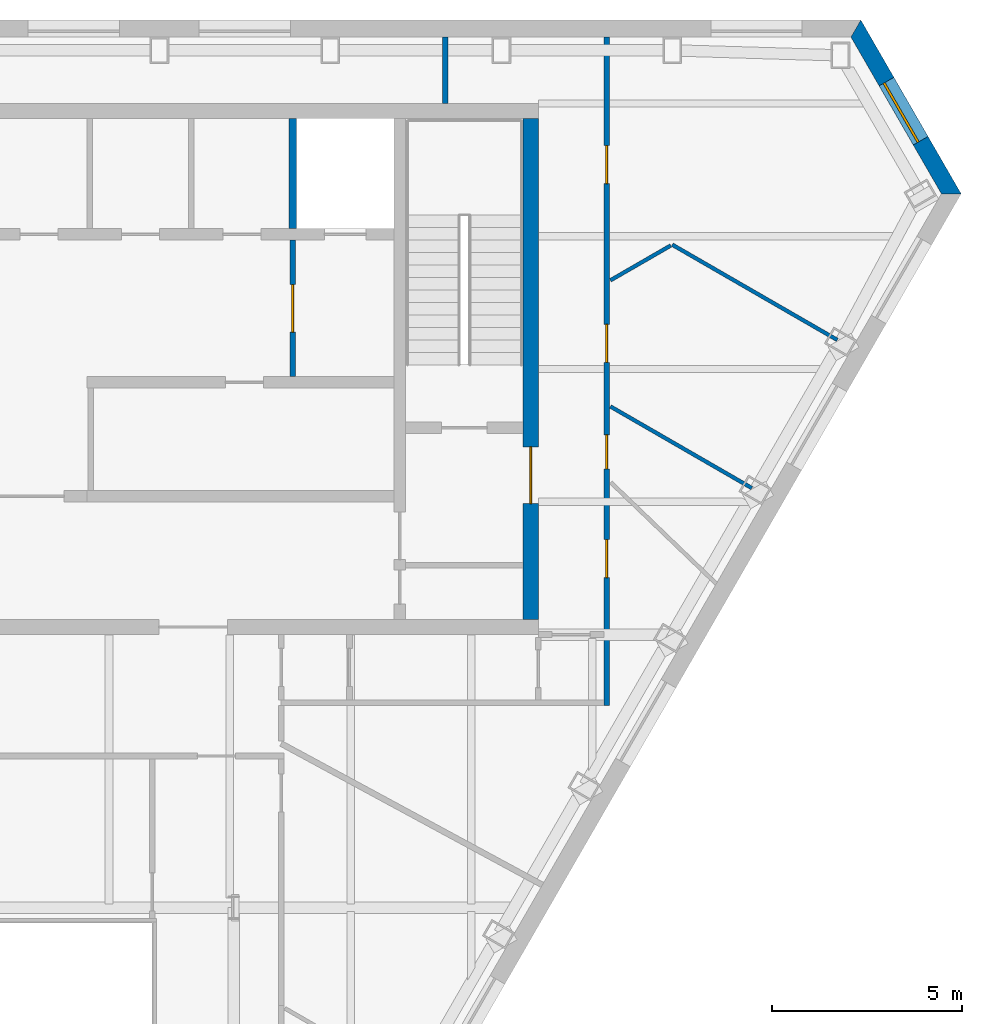
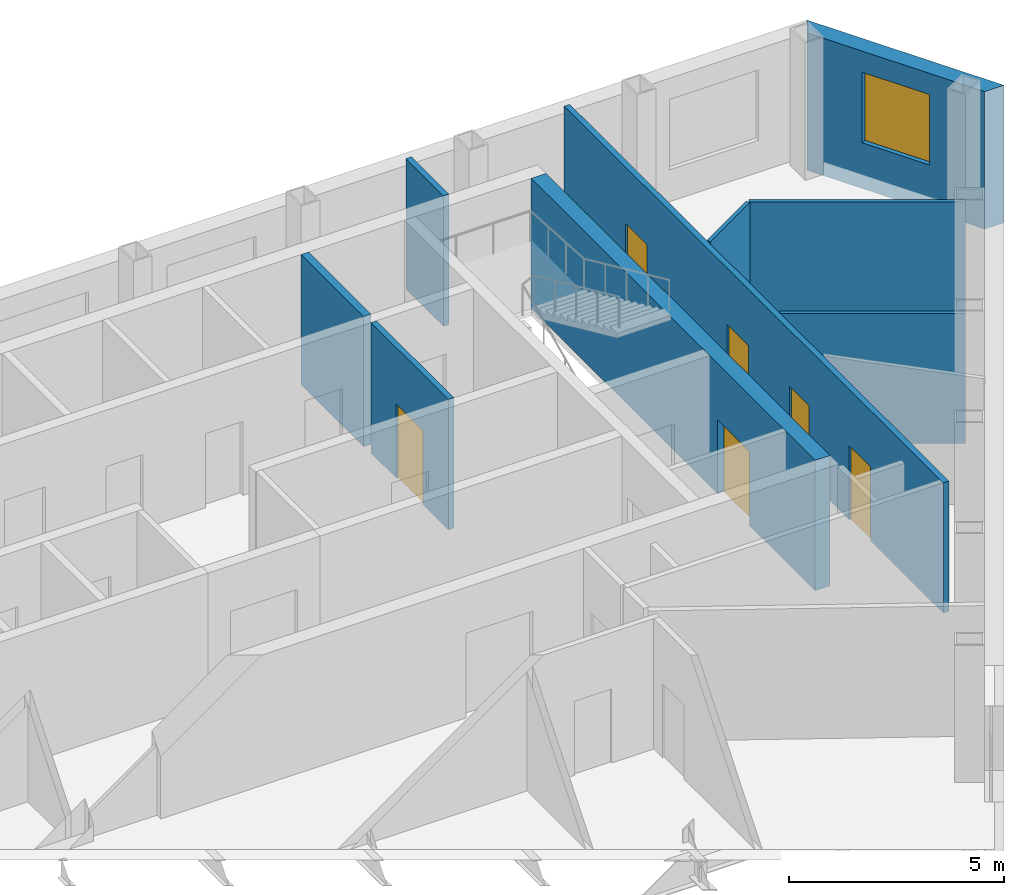
# One storey, part 7 of 10: 9 walls, 6 doors, 1 window, 7 openings.
"""IFC4 building model written with IfcOpenShell, lengths in metres."""

from ifc_helpers import new_model, si_unit, direction, frame, frame_2d, origin, place, context, subcontext, project, spatial, polyline, rectangle, outline, extrude, material, layer, layer_set, type_object, element, fill, save


model = new_model("IFC4")

# Units and contexts
model_context = context("Model", 3, precision=1e-05, world=origin(), true_north=direction((0.0, 1.0)))
body_context = subcontext(model_context, "Body", "Model", "MODEL_VIEW")
ifc_project = project(units=[si_unit("LENGTHUNIT", "METRE"), si_unit("AREAUNIT", "SQUARE_METRE"), si_unit("VOLUMEUNIT", "CUBIC_METRE"), si_unit("PLANEANGLEUNIT", "RADIAN"), si_unit("MASSUNIT", "GRAM", prefix="KILO")], contexts=[model_context])

# Site, building, storey
site_placement = place(None, origin())
site = spatial("IfcSite", under=ifc_project, at=site_placement, CompositionType="ELEMENT")
building_placement = place(site_placement, origin())
building = spatial("IfcBuilding", under=site, at=building_placement, Name="Njiva Tower", CompositionType="ELEMENT")
storey_placement = place(building_placement, frame((0.0, 0.0, 280.5)))
storey = spatial("IfcBuildingStorey", under=building, at=storey_placement, Name="L64", CompositionType="ELEMENT", Elevation=280.5)

# Wall, opening, door
ifc_material_1 = material(Name="Concrete C60/75", Category="concrete")
ifc_layer_1 = layer(ifc_material_1, 0.4)
ifc_layer_set_1 = layer_set([ifc_layer_1], Name="Concrete C60/75")
wall_type_1 = type_object("IfcWallType", Name="WT11 Core wall 400", PredefinedType="SHEAR", material=ifc_layer_set_1)
wall_1_placement = place(storey_placement, frame((14.3, 4.4, 0.0), z_axis=(0.0, 0.0, 1.0), x_axis=(0.0, 1.0, 0.0)))
wall_1 = element("IfcWall", 1, at=wall_1_placement, inside=storey, type_object=wall_type_1, Name="Core wall east", PredefinedType="SHEAR", context=body_context, shape_type="SweptSolid", body=[
    extrude(rectangle(XDim=13.2, YDim=0.4, at=frame_2d((6.6, 0.0))), origin(), (0.0, 0.0, 1.0), 3.7),
])
opening_1_placement = place(wall_1_placement, frame((3.05, 0.0, 0.0)))
opening_1 = element("IfcOpeningElement", 2, at=opening_1_placement, cuts=wall_1, Name="Opening S21-D922", PredefinedType="OPENING", context=body_context, shape_type="SweptSolid", body=[
    extrude(rectangle(XDim=1.5, YDim=2.1, at=frame_2d((0.75, 1.05))), frame((0.0, 0.21, 0.0), z_axis=(0.0, -1.0, 0.0), x_axis=(1.0, 0.0, 0.0)), (0.0, 0.0, 1.0), 0.42),
])
ifc_material_2 = material(Name="Glazed steel fire door", Category="steel")
door_type_1 = type_object("IfcDoorType", Name="D10 Exit door double 1500x2100 glazed", OperationType="DOUBLE_DOOR_SINGLE_SWING", PredefinedType="DOOR", material=ifc_material_2)
door_1_placement = place(opening_1_placement, origin())
door_1 = element("IfcDoor", 3, at=door_1_placement, inside=storey, type_object=door_type_1, Name="Stair B corridor door", OperationType="DOUBLE_DOOR_SINGLE_SWING", OverallHeight=2.1, OverallWidth=1.5, PredefinedType="DOOR", context=body_context, shape_type="SweptSolid", body=[
    extrude(rectangle(XDim=1.5, YDim=2.1, at=frame_2d((0.75, 1.05))), frame((0.0, 0.025, 0.0), z_axis=(0.0, -1.0, 0.0), x_axis=(1.0, 0.0, 0.0)), (0.0, 0.0, 1.0), 0.05),
])
fill(opening_1, door_1)

ifc_material_3 = material(Name="Blockwork", Category="masonry")
ifc_layer_2 = layer(ifc_material_3, 0.15)
ifc_layer_set_2 = layer_set([ifc_layer_2], Name="Blockwork")
wall_type_2 = type_object("IfcWallType", Name="WT2 Lobby partition 150", PredefinedType="PARTITIONING", material=ifc_layer_set_2)
wall_2_placement = place(storey_placement, frame((8.025, 10.8, 0.0), z_axis=(0.0, 0.0, 1.0), x_axis=(0.0, 1.0, 0.0)))
wall_2 = element("IfcWall", 4, at=wall_2_placement, inside=storey, type_object=wall_type_2, Name="Firefighting lobby wall B", PredefinedType="PARTITIONING", context=body_context, shape_type="SweptSolid", body=[
    extrude(rectangle(XDim=3.6, YDim=0.15, at=frame_2d((1.8, 0.0))), origin(), (0.0, 0.0, 1.0), 3.7),
])
opening_2_placement = place(wall_2_placement, frame((1.175, 0.0, 0.0)))
opening_2 = element("IfcOpeningElement", 5, at=opening_2_placement, cuts=wall_2, Name="Opening S21-D919", PredefinedType="OPENING", context=body_context, shape_type="SweptSolid", body=[
    extrude(rectangle(XDim=1.25, YDim=2.1, at=frame_2d((0.625, 1.05))), frame((0.0, 0.085, 0.0), z_axis=(0.0, -1.0, 0.0), x_axis=(1.0, 0.0, 0.0)), (0.0, 0.0, 1.0), 0.17),
])
door_type_2 = type_object("IfcDoorType", Name="D8 Vestibule corridor door 1250x2100 glazed", OperationType="SINGLE_SWING_LEFT", PredefinedType="DOOR", material=ifc_material_2)
door_2_placement = place(opening_2_placement, origin())
door_2 = element("IfcDoor", 6, at=door_2_placement, inside=storey, type_object=door_type_2, Name="Stair vestibule corridor door", OperationType="SINGLE_SWING_LEFT", OverallHeight=2.1, OverallWidth=1.25, PredefinedType="DOOR", context=body_context, shape_type="SweptSolid", body=[
    extrude(rectangle(XDim=1.25, YDim=2.1, at=frame_2d((0.625, 1.05))), frame((0.0, 0.025, 0.0), z_axis=(0.0, -1.0, 0.0), x_axis=(1.0, 0.0, 0.0)), (0.0, 0.0, 1.0), 0.05),
])
fill(opening_2, door_2)

# Walls
ifc_material_4 = material(Name="Gypsum board on steel studs", Category="gypsum")
ifc_layer_3 = layer(ifc_material_4, 0.1)
ifc_layer_set_3 = layer_set([ifc_layer_3], Name="Gypsum board on steel studs")
wall_type_3 = type_object("IfcWallType", Name="WT20 Gypsum partition 100", PredefinedType="PARTITIONING", material=ifc_layer_set_3)
wall_3_placement = place(storey_placement, frame((16.4, 13.338, 0.0), z_axis=(0.0, 0.0, 1.0), x_axis=(0.866294275703, 0.499534010738, 0.0)))
element("IfcWall", 7, at=wall_3_placement, inside=storey, type_object=wall_type_3, Name="Partition S21-P033", PredefinedType="PARTITIONING", context=body_context, shape_type="SweptSolid", body=[
    extrude(rectangle(XDim=1.8377, YDim=0.1, at=frame_2d((0.9188, 0.0))), origin(), (0.0, 0.0, 1.0), 3.7),
])
wall_4_placement = place(storey_placement, frame((16.4, 10.013, 0.0), z_axis=(0.0, 0.0, 1.0), x_axis=(0.866104329613, -0.499863271531, 0.0)))
element("IfcWall", 8, at=wall_4_placement, inside=storey, type_object=wall_type_3, Name="Partition S21-P034", PredefinedType="PARTITIONING", context=body_context, shape_type="SweptSolid", body=[
    extrude(rectangle(XDim=4.3032, YDim=0.1, at=frame_2d((2.1516, 0.0))), origin(), (0.0, 0.0, 1.0), 3.7),
])
wall_5_placement = place(storey_placement, frame((18.03, 14.277, 0.0), z_axis=(0.0, 0.0, 1.0), x_axis=(0.866115983499, -0.499843078503, 0.0)))
element("IfcWall", 9, at=wall_5_placement, inside=storey, type_object=wall_type_3, Name="Partition S21-P036", PredefinedType="PARTITIONING", context=body_context, shape_type="SweptSolid", body=[
    extrude(rectangle(XDim=5.0236, YDim=0.1, at=frame_2d((2.5118, 0.0))), origin(), (0.0, 0.0, 1.0), 3.7),
])
ifc_layer_4 = layer(ifc_material_4, 0.15)
ifc_layer_set_4 = layer_set([ifc_layer_4], Name="Gypsum board on steel studs")
wall_type_4 = type_object("IfcWallType", Name="WT21 Compartment wall 150", PredefinedType="PARTITIONING", material=ifc_layer_set_4)
wall_6_placement = place(storey_placement, frame((12.05, 18.0, 0.0), z_axis=(0.0, 0.0, 1.0), x_axis=(0.0, 1.0, 0.0)))
element("IfcWall", 10, at=wall_6_placement, inside=storey, type_object=wall_type_4, Name="Partition S21-P029", PredefinedType="PARTITIONING", context=body_context, shape_type="SweptSolid", body=[
    extrude(rectangle(XDim=1.75, YDim=0.15, at=frame_2d((0.875, 0.0))), origin(), (0.0, 0.0, 1.0), 3.7),
])

# Wall, openings, doors
wall_7_placement = place(storey_placement, frame((16.3, 2.125, 0.0), z_axis=(0.0, 0.0, 1.0), x_axis=(0.0, 1.0, 0.0)))
wall_7 = element("IfcWall", 11, at=wall_7_placement, inside=storey, type_object=wall_type_4, Name="Partition S21-P032", PredefinedType="PARTITIONING", context=body_context, shape_type="SweptSolid", body=[
    extrude(rectangle(XDim=17.623, YDim=0.15, at=frame_2d((8.8115, 0.0))), origin(), (0.0, 0.0, 1.0), 3.7),
])
opening_3_placement = place(wall_7_placement, frame((3.377, 0.0, 0.0)))
opening_3 = element("IfcOpeningElement", 12, at=opening_3_placement, cuts=wall_7, Name="Opening S21-D018", PredefinedType="OPENING", context=body_context, shape_type="SweptSolid", body=[
    extrude(rectangle(XDim=1.0, YDim=2.1, at=frame_2d((0.5, 1.05))), frame((0.0, 0.085, 0.0), z_axis=(0.0, -1.0, 0.0), x_axis=(1.0, 0.0, 0.0)), (0.0, 0.0, 1.0), 0.17),
])
opening_4_placement = place(wall_7_placement, frame((6.242, 0.0, 0.0)))
opening_4 = element("IfcOpeningElement", 13, at=opening_4_placement, cuts=wall_7, Name="Opening S21-D019", PredefinedType="OPENING", context=body_context, shape_type="SweptSolid", body=[
    extrude(rectangle(XDim=0.9, YDim=2.1, at=frame_2d((0.45, 1.05))), frame((0.0, 0.085, 0.0), z_axis=(0.0, -1.0, 0.0), x_axis=(1.0, 0.0, 0.0)), (0.0, 0.0, 1.0), 0.17),
])
opening_5_placement = place(wall_7_placement, frame((9.05, 0.0, 0.0)))
opening_5 = element("IfcOpeningElement", 14, at=opening_5_placement, cuts=wall_7, Name="Opening S21-D020", PredefinedType="OPENING", context=body_context, shape_type="SweptSolid", body=[
    extrude(rectangle(XDim=1.0, YDim=2.1, at=frame_2d((0.5, 1.05))), frame((0.0, 0.085, 0.0), z_axis=(0.0, -1.0, 0.0), x_axis=(1.0, 0.0, 0.0)), (0.0, 0.0, 1.0), 0.17),
])
opening_6_placement = place(wall_7_placement, frame((13.764, 0.0, 0.0)))
opening_6 = element("IfcOpeningElement", 15, at=opening_6_placement, cuts=wall_7, Name="Opening S21-D021", PredefinedType="OPENING", context=body_context, shape_type="SweptSolid", body=[
    extrude(rectangle(XDim=1.0, YDim=2.1, at=frame_2d((0.5, 1.05))), frame((0.0, 0.085, 0.0), z_axis=(0.0, -1.0, 0.0), x_axis=(1.0, 0.0, 0.0)), (0.0, 0.0, 1.0), 0.17),
])
ifc_material_5 = material(Name="Steel fire door set", Category="steel")
door_type_3 = type_object("IfcDoorType", Name="D36 Fire door 900x2100", OperationType="SINGLE_SWING_LEFT", PredefinedType="DOOR", material=ifc_material_5)
door_3_placement = place(opening_4_placement, origin())
door_3 = element("IfcDoor", 16, at=door_3_placement, inside=storey, type_object=door_type_3, Name="Door S21-D019", OperationType="SINGLE_SWING_LEFT", OverallHeight=2.1, OverallWidth=0.9, PredefinedType="DOOR", context=body_context, shape_type="SweptSolid", body=[
    extrude(rectangle(XDim=0.9, YDim=2.1, at=frame_2d((0.45, 1.05))), frame((0.0, 0.025, 0.0), z_axis=(0.0, -1.0, 0.0), x_axis=(1.0, 0.0, 0.0)), (0.0, 0.0, 1.0), 0.05),
])
fill(opening_4, door_3)
door_type_4 = type_object("IfcDoorType", Name="D37 Fire door 1000x2100", OperationType="SINGLE_SWING_LEFT", PredefinedType="DOOR", material=ifc_material_5)
door_4_placement = place(opening_3_placement, origin())
door_4 = element("IfcDoor", 17, at=door_4_placement, inside=storey, type_object=door_type_4, Name="Door S21-D018", OperationType="SINGLE_SWING_LEFT", OverallHeight=2.1, OverallWidth=1.0, PredefinedType="DOOR", context=body_context, shape_type="SweptSolid", body=[
    extrude(rectangle(XDim=1.0, YDim=2.1, at=frame_2d((0.5, 1.05))), frame((0.0, 0.025, 0.0), z_axis=(0.0, -1.0, 0.0), x_axis=(1.0, 0.0, 0.0)), (0.0, 0.0, 1.0), 0.05),
])
fill(opening_3, door_4)
door_5_placement = place(opening_5_placement, origin())
door_5 = element("IfcDoor", 18, at=door_5_placement, inside=storey, type_object=door_type_4, Name="Door S21-D020", OperationType="SINGLE_SWING_RIGHT", OverallHeight=2.1, OverallWidth=1.0, PredefinedType="DOOR", context=body_context, shape_type="SweptSolid", body=[
    extrude(rectangle(XDim=1.0, YDim=2.1, at=frame_2d((0.5, 1.05))), frame((0.0, 0.025, 0.0), z_axis=(0.0, -1.0, 0.0), x_axis=(1.0, 0.0, 0.0)), (0.0, 0.0, 1.0), 0.05),
])
fill(opening_5, door_5)
door_6_placement = place(opening_6_placement, origin())
door_6 = element("IfcDoor", 19, at=door_6_placement, inside=storey, type_object=door_type_4, Name="Door S21-D021", OperationType="SINGLE_SWING_RIGHT", OverallHeight=2.1, OverallWidth=1.0, PredefinedType="DOOR", context=body_context, shape_type="SweptSolid", body=[
    extrude(rectangle(XDim=1.0, YDim=2.1, at=frame_2d((0.5, 1.05))), frame((0.0, 0.025, 0.0), z_axis=(0.0, -1.0, 0.0), x_axis=(1.0, 0.0, 0.0)), (0.0, 0.0, 1.0), 0.05),
])
fill(opening_6, door_6)

# Wall
ifc_material_6 = material(Name="Concrete C40/50", Category="concrete")
ifc_layer_5 = layer(ifc_material_6, 0.2)
ifc_layer_set_5 = layer_set([ifc_layer_5], Name="Concrete C40/50")
wall_type_5 = type_object("IfcWallType", Name="WT6 Lift shaft wall 200", PredefinedType="SHEAR", material=ifc_layer_set_5)
wall_8_placement = place(storey_placement, frame((8.025, 14.7, 0.0), z_axis=(0.0, 0.0, 1.0), x_axis=(0.0, 1.0, 0.0)))
element("IfcWall", 20, at=wall_8_placement, inside=storey, type_object=wall_type_5, Name="Shaft wall CN7", PredefinedType="SHEAR", context=body_context, shape_type="SweptSolid", body=[
    extrude(rectangle(XDim=2.9, YDim=0.2, at=frame_2d((1.45, 0.0))), origin(), (0.0, 0.0, 1.0), 3.7),
])

# Wall, opening, window
ifc_material_7 = material(Name="Brick masonry, buff", Category="masonry")
ifc_layer_6 = layer(ifc_material_7, 0.45)
ifc_layer_set_6 = layer_set([ifc_layer_6], Name="Brick masonry, buff")
wall_type_6 = type_object("IfcWallType", Name="WT94 Brick pier and spandrel wall 450, buff", PredefinedType="SOLIDWALL", material=ifc_layer_set_6)
wall_9_placement = place(storey_placement, frame((25.3852, 15.6187, -0.4), z_axis=(0.0, 0.0, 1.0), x_axis=(-0.49999836324, 0.866026348766, 0.0)))
wall_9 = element("IfcWall", 21, at=wall_9_placement, inside=storey, type_object=wall_type_6, Name="Facade wall NE", PredefinedType="SOLIDWALL", context=body_context, shape_type="SweptSolid", body=[
    extrude(outline(polyline([(-0.1299, -0.225), (5.1601, -0.225), (4.9003, 0.225), (0.1299, 0.225), (-0.1299, -0.225)])), origin(), (0.0, 0.0, 1.0), 3.9),
])
opening_7_placement = place(wall_9_placement, frame((1.6151, 0.0, 1.3)))
opening_7 = element("IfcOpeningElement", 22, at=opening_7_placement, cuts=wall_9, Name="Opening S21-W28", PredefinedType="OPENING", context=body_context, shape_type="SweptSolid", body=[
    extrude(rectangle(XDim=1.8, YDim=2.0, at=frame_2d((0.9, 1.0))), frame((0.0, 0.235, 0.0), z_axis=(0.0, -1.0, 0.0), x_axis=(1.0, 0.0, 0.0)), (0.0, 0.0, 1.0), 0.47),
])
ifc_material_8 = material(Name="Clear glazing in aluminium frame", Category="aluminium")
window_type = type_object("IfcWindowType", Name="W94 Deep-set window 1800x2000", PartitioningType="SINGLE_PANEL", PredefinedType="WINDOW", material=ifc_material_8)
window_placement = place(opening_7_placement, origin())
window = element("IfcWindow", 23, at=window_placement, inside=storey, type_object=window_type, Name="Window", OverallHeight=2.0, OverallWidth=1.8, PartitioningType="SINGLE_PANEL", PredefinedType="WINDOW", context=body_context, shape_type="SweptSolid", body=[
    extrude(rectangle(XDim=1.8, YDim=2.0, at=frame_2d((0.9, 1.0))), frame((0.0, 0.105, 0.0), z_axis=(0.0, -1.0, 0.0), x_axis=(1.0, 0.0, 0.0)), (0.0, 0.0, 1.0), 0.06),
])
fill(opening_7, window)

save(model, "model.ifc")
